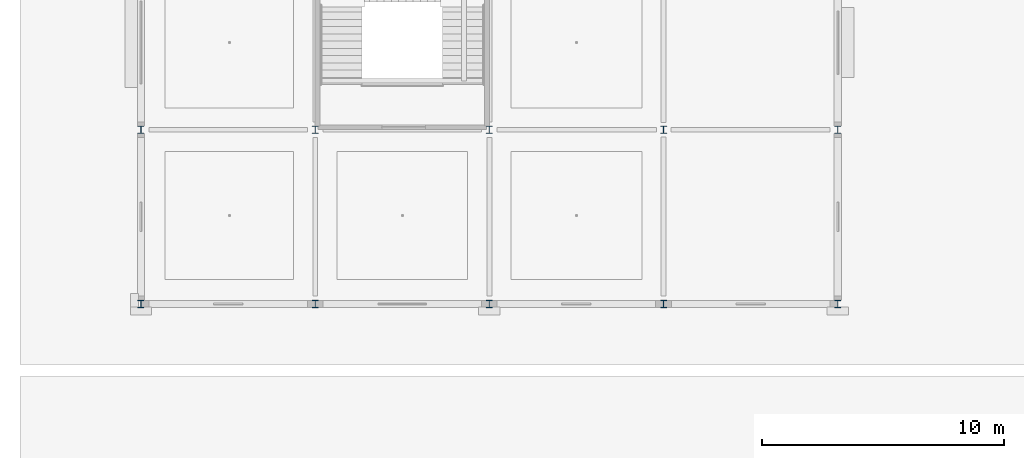
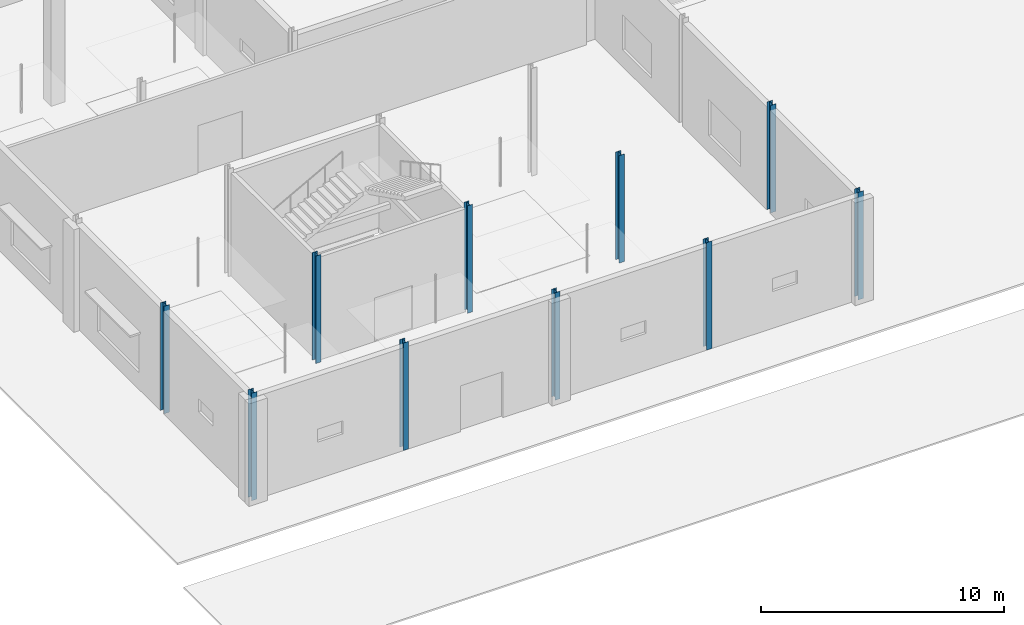
# One storey, part 1 of 90: 10 columns.
"""IFC4 building model written with IfcOpenShell, lengths in metres."""

from ifc_helpers import new_model, si_unit, direction, frame, origin, origin_2d, place, context, subcontext, project, spatial, i_section, extrude, material, material_profile, profile_set, type_object, element, save


model = new_model("IFC4")

# Units and contexts
model_context = context("Model", 3, precision=1e-05, world=origin(), true_north=direction((0.0, 1.0)))
body_context = subcontext(model_context, "Body", "Model", "MODEL_VIEW")
ifc_project = project(units=[si_unit("LENGTHUNIT", "METRE"), si_unit("AREAUNIT", "SQUARE_METRE"), si_unit("VOLUMEUNIT", "CUBIC_METRE"), si_unit("PLANEANGLEUNIT", "RADIAN"), si_unit("MASSUNIT", "GRAM", prefix="KILO")], contexts=[model_context])

# Site, building, storey
site_placement = place(None, origin())
site = spatial("IfcSite", under=ifc_project, at=site_placement, CompositionType="ELEMENT")
building_placement = place(site_placement, origin())
building = spatial("IfcBuilding", under=site, at=building_placement, Name="Kangsadwip Square Police Headquarters", CompositionType="ELEMENT")
storey_placement = place(building_placement, origin())
storey = spatial("IfcBuildingStorey", under=building, at=storey_placement, Name="L00", CompositionType="ELEMENT", Elevation=0.0)

# Columns
ifc_material = material(Name="Structural steel IS 2062 E350 (Grade 350, 350 MPa)", Category="steel")
ifc_material_profile = material_profile(ifc_material, i_section(OverallWidth=0.25, OverallDepth=0.300048828125, WebThickness=0.009521484375, FlangeThickness=0.010498046875, at=origin_2d()), Name="ISHB 300")
ifc_profile_set = profile_set([ifc_material_profile], Name="Structural steel IS 2062 E350 (Grade 350, 350 MPa)")
column_type = type_object("IfcColumnType", Name="SteelColIshb300", PredefinedType="COLUMN", material=ifc_profile_set)
for number, where, z_axis, x_axis, name in (
    (1, (0.0, 0.0, 0.0), (0.0, 0.0, 1.0), (1.0, 0.0, 0.0), "Column COL-L00-00-00"),
    (2, (0.0, 7.199951171875, 0.0), (0.0, 0.0, 1.0), (1.0, 0.0, 0.0), "Column COL-L00-00-01"),
    (3, (7.199951171875, 0.0, 0.0), (0.0, 0.0, 1.0), (1.0, 0.0, 0.0), "Column COL-L00-01-00"),
    (4, (7.199951171875, 7.199951171875, 0.0), (0.0, 0.0, 1.0), (1.0, 0.0, 0.0), "Column COL-L00-01-01"),
    (5, (14.39990234375, 0.0, 0.0), (0.0, 0.0, 1.0), (1.0, 0.0, 0.0), "Column COL-L00-02-00"),
    (6, (14.39990234375, 7.199951171875, 0.0), (0.0, 0.0, 1.0), (1.0, 0.0, 0.0), "Column COL-L00-02-01"),
    (7, (21.60009765625, 0.0, 0.0), (0.0, 0.0, 1.0), (1.0, 0.0, 0.0), "Column COL-L00-03-00"),
    (8, (21.60009765625, 7.199951171875, 0.0), (0.0, 0.0, 1.0), (1.0, 0.0, 0.0), "Column COL-L00-03-01"),
    (9, (28.800048828125, 0.0, 0.0), (0.0, 0.0, 1.0), (1.0, 0.0, 0.0), "Column COL-L00-04-00"),
    (10, (28.800048828125, 7.199951171875, 0.0), (0.0, 0.0, 1.0), (1.0, 0.0, 0.0), "Column COL-L00-04-01"),
):
    element("IfcColumn", number, at=place(storey_placement, frame(where, z_axis=z_axis, x_axis=x_axis)), inside=storey, type_object=column_type, Name=name, PredefinedType="COLUMN", context=body_context, shape_type="SweptSolid", body=[
        extrude(i_section(OverallWidth=0.25, OverallDepth=0.300048828125, WebThickness=0.009521484375, FlangeThickness=0.010498046875, at=origin_2d()), origin(), (0.0, 0.0, 1.0), 5.39990234375),
    ])

save(model, "model.ifc")
